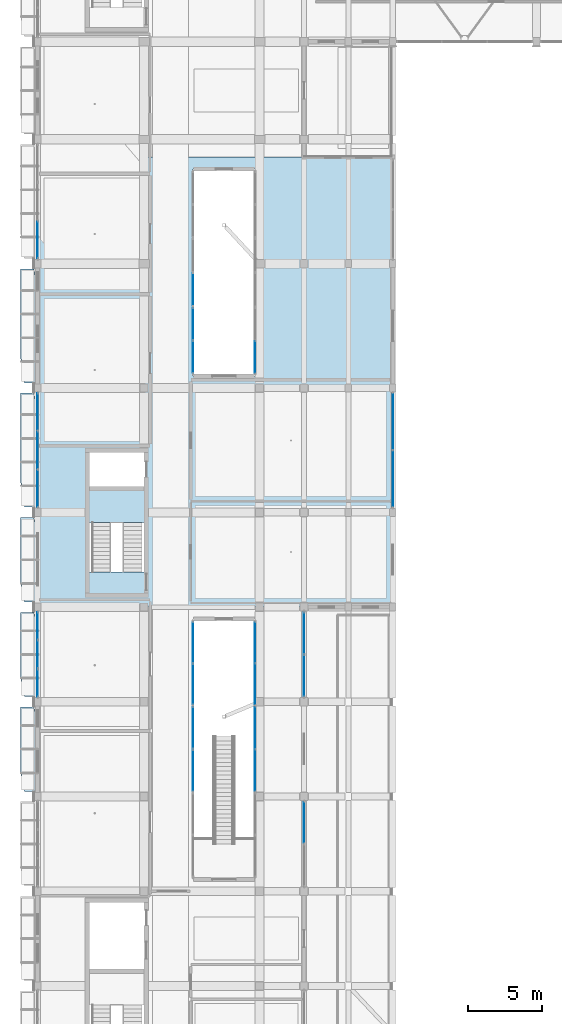
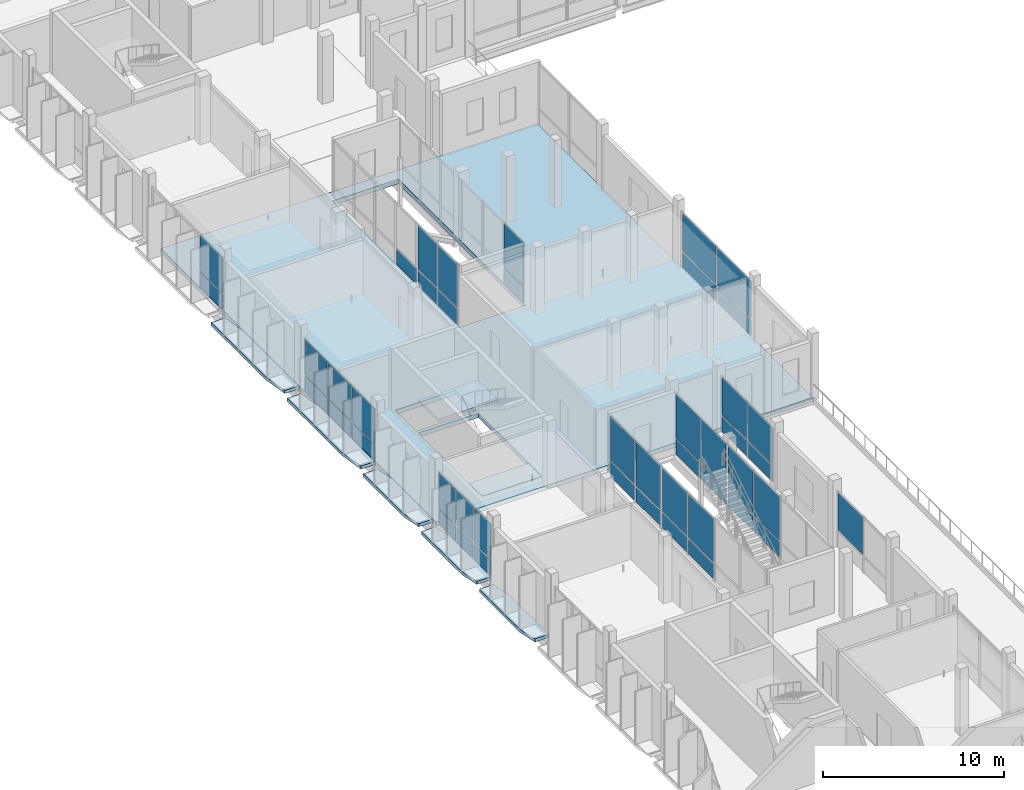
# One storey, part 44 of 95: 46 plates, 8 slabs, 14 elements without a shape of their own.
"""IFC4 building model written with IfcOpenShell, lengths in metres."""

from ifc_helpers import new_model, si_unit, derived_unit, direction, frame, origin, origin_2d, place, context, subcontext, project, spatial, polyline, rectangle, outline, extrude, material, layer, layer_set, type_object, element, aggregate, save


model = new_model("IFC4")

# Units and contexts
model_context = context("Model", 3, precision=1e-05, world=origin(), true_north=direction((0.0, 1.0)))
body_context = subcontext(model_context, "Body", "Model", "MODEL_VIEW")
ifc_project = project(units=[si_unit("LENGTHUNIT", "METRE"), si_unit("AREAUNIT", "SQUARE_METRE"), si_unit("VOLUMEUNIT", "CUBIC_METRE"), si_unit("PLANEANGLEUNIT", "RADIAN"), si_unit("MASSUNIT", "GRAM", prefix="KILO"), derived_unit("THERMALTRANSMITTANCEUNIT", [(si_unit("POWERUNIT", "WATT"), 1), (si_unit("LENGTHUNIT", "METRE"), -2), (si_unit("THERMODYNAMICTEMPERATUREUNIT", "KELVIN"), -1)])], contexts=[model_context])

# Site, building, storey
site_placement = place(None, origin())
site = spatial("IfcSite", under=ifc_project, at=site_placement, CompositionType="ELEMENT")
building_placement = place(site_placement, origin())
building = spatial("IfcBuilding", under=site, at=building_placement, Name="Braskholm Square Health Centre", CompositionType="ELEMENT")
storey_placement = place(building_placement, frame((0.0, 0.0, 4.800048828125)))
storey = spatial("IfcBuildingStorey", under=building, at=storey_placement, Name="L02", CompositionType="ELEMENT", Elevation=4.800048828125)

# Curtain wall, plates
ifc_material_1 = material(Name="Low-E triple insulating glass (VLT 0.64)", Category="glass")
curtain_wall_type_1 = type_object("IfcCurtainWallType", Name="UnitisedCurtainWall6200x3650", PredefinedType="NOTDEFINED", material=ifc_material_1)
curtain_wall_1_placement = place(storey_placement, origin())
curtain_wall_1 = element("IfcCurtainWall", 1, at=curtain_wall_1_placement, inside=storey, type_object=curtain_wall_type_1, Name="West Outer unitised curtain wall CW-L02-0009", PredefinedType="NOTDEFINED")
ifc_material_2 = material(Name="Architectural bronze anodised aluminium", Category="aluminium")
plate_type_1 = type_object("IfcPlateType", Name="CurtainPanelSpandrel1850x1020", PredefinedType="CURTAIN_PANEL", material=ifc_material_2)
plate_1_placement = place(storey_placement, frame((4.199951171875, 47.739990234375, 0.050048828125), z_axis=(0.0, 0.0, 1.0), x_axis=(0.0, -1.0, 0.0)))
plate_1 = element("IfcPlate", 2, at=plate_1_placement, type_object=plate_type_1, Name="CW-L02-0009 spandrel panel 1", PredefinedType="CURTAIN_PANEL", context=body_context, shape_type="SweptSolid", body=[
    extrude(rectangle(XDim=1.823486328125, YDim=0.035888671875, at=origin_2d()), origin(), (0.0, 0.0, 1.0), 1.02001953125),
])
plate_2_placement = place(storey_placement, frame((4.199951171875, 45.800048828125, 0.050048828125), z_axis=(0.0, 0.0, 1.0), x_axis=(0.0, -1.0, 0.0)))
plate_2 = element("IfcPlate", 3, at=plate_2_placement, type_object=plate_type_1, Name="CW-L02-0009 spandrel panel 2", PredefinedType="CURTAIN_PANEL", context=body_context, shape_type="SweptSolid", body=[
    extrude(rectangle(XDim=1.823486328125, YDim=0.035888671875, at=origin_2d()), origin(), (0.0, 0.0, 1.0), 1.02001953125),
])
plate_3_placement = place(storey_placement, frame((4.199951171875, 43.860107421875, 0.050048828125), z_axis=(0.0, 0.0, 1.0), x_axis=(0.0, -1.0, 0.0)))
plate_3 = element("IfcPlate", 4, at=plate_3_placement, type_object=plate_type_1, Name="CW-L02-0009 spandrel panel 3", PredefinedType="CURTAIN_PANEL", context=body_context, shape_type="SweptSolid", body=[
    extrude(rectangle(XDim=1.823486328125, YDim=0.035888671875, at=origin_2d()), origin(), (0.0, 0.0, 1.0), 1.02001953125),
])

curtain_wall_type_2 = type_object("IfcCurtainWallType", Name="UnitisedCurtainWall4800x4100", PredefinedType="NOTDEFINED", material=ifc_material_1)
curtain_wall_2_placement = place(storey_placement, origin())
curtain_wall_2 = element("IfcCurtainWall", 5, at=curtain_wall_2_placement, inside=storey, type_object=curtain_wall_type_2, Name="WC2 Court W unitised curtain wall CW-L02-0291", PredefinedType="NOTDEFINED")
plate_type_2 = type_object("IfcPlateType", Name="CurtainPanelSpandrel2150x1020", PredefinedType="CURTAIN_PANEL", material=ifc_material_2)
plate_4_placement = place(storey_placement, frame((14.699951171875, 65.884033203125, 0.050048828125), z_axis=(0.0, 0.0, 1.0), x_axis=(0.0, 1.0, 0.0)))
plate_4 = element("IfcPlate", 6, at=plate_4_placement, type_object=plate_type_2, Name="CW-L02-0291 spandrel panel 1", PredefinedType="CURTAIN_PANEL", context=body_context, shape_type="SweptSolid", body=[
    extrude(rectangle(XDim=2.125244140625, YDim=0.035888671875, at=origin_2d()), origin(), (0.0, 0.0, 1.0), 1.02001953125),
])
plate_5_placement = place(storey_placement, frame((14.699951171875, 68.117919921875, 0.050048828125), z_axis=(0.0, 0.0, 1.0), x_axis=(0.0, 1.0, 0.0)))
plate_5 = element("IfcPlate", 7, at=plate_5_placement, type_object=plate_type_2, Name="CW-L02-0291 spandrel panel 2", PredefinedType="CURTAIN_PANEL", context=body_context, shape_type="SweptSolid", body=[
    extrude(rectangle(XDim=2.125244140625, YDim=0.035888671875, at=origin_2d()), origin(), (0.0, 0.0, 1.0), 1.02001953125),
])

# Curtain wall, plate
curtain_wall_3_placement = place(storey_placement, origin())
curtain_wall_3 = element("IfcCurtainWall", 8, at=curtain_wall_3_placement, inside=storey, type_object=curtain_wall_type_2, Name="WC2 Court E unitised curtain wall CW-L02-0292", PredefinedType="NOTDEFINED")
plate_6_placement = place(storey_placement, frame((18.89990234375, 65.884033203125, 0.050048828125), z_axis=(0.0, 0.0, 1.0), x_axis=(0.0, -1.0, 0.0)))
plate_6 = element("IfcPlate", 9, at=plate_6_placement, type_object=plate_type_2, Name="CW-L02-0292 spandrel panel 2", PredefinedType="CURTAIN_PANEL", context=body_context, shape_type="SweptSolid", body=[
    extrude(rectangle(XDim=2.125244140625, YDim=0.035888671875, at=origin_2d()), origin(), (0.0, 0.0, 1.0), 1.02001953125),
])

curtain_wall_4_placement = place(storey_placement, origin())
curtain_wall_4 = element("IfcCurtainWall", 10, at=curtain_wall_4_placement, inside=storey, type_object=curtain_wall_type_2, Name="WC2 Court W unitised curtain wall CW-L02-0293", PredefinedType="NOTDEFINED")
plate_7_placement = place(storey_placement, frame((14.699951171875, 70.449951171875, 0.050048828125), z_axis=(0.0, 0.0, 1.0), x_axis=(0.0, 1.0, 0.0)))
plate_7 = element("IfcPlate", 11, at=plate_7_placement, type_object=plate_type_2, Name="CW-L02-0293 spandrel panel 1", PredefinedType="CURTAIN_PANEL", context=body_context, shape_type="SweptSolid", body=[
    extrude(rectangle(XDim=2.188232421875, YDim=0.035888671875, at=origin_2d()), origin(), (0.0, 0.0, 1.0), 1.02001953125),
])
aggregate(curtain_wall_4, [plate_7])

# Curtain wall, plates
curtain_wall_5_placement = place(storey_placement, origin())
curtain_wall_5 = element("IfcCurtainWall", 12, at=curtain_wall_5_placement, inside=storey, type_object=curtain_wall_type_1, Name="West Outer unitised curtain wall CW-L02-0010", PredefinedType="NOTDEFINED")
plate_type_3 = type_object("IfcPlateType", Name="CurtainPanelSpandrel2750x1020", PredefinedType="CURTAIN_PANEL", material=ifc_material_2)
plate_8_placement = place(storey_placement, frame((4.199951171875, 62.206787109375, 0.050048828125), z_axis=(0.0, 0.0, 1.0), x_axis=(0.0, -1.0, 0.0)))
plate_8 = element("IfcPlate", 13, at=plate_8_placement, type_object=plate_type_3, Name="CW-L02-0010 spandrel panel 1", PredefinedType="CURTAIN_PANEL", context=body_context, shape_type="SweptSolid", body=[
    extrude(rectangle(XDim=2.4501953125, YDim=0.035888671875, at=origin_2d()), origin(), (0.0, 0.0, 1.0), 1.02001953125),
])
plate_9_placement = place(storey_placement, frame((4.199951171875, 59.60009765625, 0.050048828125), z_axis=(0.0, 0.0, 1.0), x_axis=(0.0, -1.0, 0.0)))
plate_9 = element("IfcPlate", 14, at=plate_9_placement, type_object=plate_type_3, Name="CW-L02-0010 spandrel panel 2", PredefinedType="CURTAIN_PANEL", context=body_context, shape_type="SweptSolid", body=[
    extrude(rectangle(XDim=2.4501953125, YDim=0.035888671875, at=origin_2d()), origin(), (0.0, 0.0, 1.0), 1.02001953125),
])
plate_10_placement = place(storey_placement, frame((4.199951171875, 56.993408203125, 0.050048828125), z_axis=(0.0, 0.0, 1.0), x_axis=(0.0, -1.0, 0.0)))
plate_10 = element("IfcPlate", 15, at=plate_10_placement, type_object=plate_type_3, Name="CW-L02-0010 spandrel panel 3", PredefinedType="CURTAIN_PANEL", context=body_context, shape_type="SweptSolid", body=[
    extrude(rectangle(XDim=2.4501953125, YDim=0.035888671875, at=origin_2d()), origin(), (0.0, 0.0, 1.0), 1.02001953125),
])

# Curtain wall, plate
curtain_wall_6_placement = place(storey_placement, origin())
curtain_wall_6 = element("IfcCurtainWall", 16, at=curtain_wall_6_placement, inside=storey, type_object=curtain_wall_type_1, Name="West Outer unitised curtain wall CW-L02-0011", PredefinedType="NOTDEFINED")
plate_11_placement = place(storey_placement, frame((4.199951171875, 73.793212890625, 0.050048828125), z_axis=(0.0, 0.0, 1.0), x_axis=(0.0, -1.0, 0.0)))
plate_11 = element("IfcPlate", 17, at=plate_11_placement, type_object=plate_type_3, Name="CW-L02-0011 spandrel panel 3", PredefinedType="CURTAIN_PANEL", context=body_context, shape_type="SweptSolid", body=[
    extrude(rectangle(XDim=2.4501953125, YDim=0.035888671875, at=origin_2d()), origin(), (0.0, 0.0, 1.0), 1.02001953125),
])

# Curtain wall, plates
curtain_wall_type_3 = type_object("IfcCurtainWallType", Name="UnitisedCurtainWall6200x3800", PredefinedType="NOTDEFINED", material=ifc_material_1)
curtain_wall_7_placement = place(storey_placement, origin())
curtain_wall_7 = element("IfcCurtainWall", 18, at=curtain_wall_7_placement, inside=storey, type_object=curtain_wall_type_3, Name="West Valley unitised curtain wall CW-L02-0087", PredefinedType="NOTDEFINED")
plate_12_placement = place(storey_placement, frame((22.199951171875, 44.360107421875, 0.050048828125), z_axis=(0.0, 0.0, 1.0), x_axis=(0.0, 1.0, 0.0)))
plate_12 = element("IfcPlate", 19, at=plate_12_placement, type_object=plate_type_3, Name="CW-L02-0087 spandrel panel 1", PredefinedType="CURTAIN_PANEL", context=body_context, shape_type="SweptSolid", body=[
    extrude(rectangle(XDim=2.739990234375, YDim=0.035888671875, at=origin_2d()), origin(), (0.0, 0.0, 1.0), 1.02001953125),
])
plate_13_placement = place(storey_placement, frame((22.199951171875, 47.239990234375, 0.050048828125), z_axis=(0.0, 0.0, 1.0), x_axis=(0.0, 1.0, 0.0)))
plate_13 = element("IfcPlate", 20, at=plate_13_placement, type_object=plate_type_3, Name="CW-L02-0087 spandrel panel 2", PredefinedType="CURTAIN_PANEL", context=body_context, shape_type="SweptSolid", body=[
    extrude(rectangle(XDim=2.739990234375, YDim=0.035888671875, at=origin_2d()), origin(), (0.0, 0.0, 1.0), 1.02001953125),
])

curtain_wall_type_4 = type_object("IfcCurtainWallType", Name="UnitisedCurtainWall6200x4100", PredefinedType="NOTDEFINED", material=ifc_material_1)
curtain_wall_8_placement = place(storey_placement, origin())
curtain_wall_8 = element("IfcCurtainWall", 21, at=curtain_wall_8_placement, inside=storey, type_object=curtain_wall_type_4, Name="WC1 Court W unitised curtain wall CW-L02-0257", PredefinedType="NOTDEFINED")
plate_14_placement = place(storey_placement, frame((14.699951171875, 37.95361328125, 0.050048828125), z_axis=(0.0, 0.0, 1.0), x_axis=(0.0, 1.0, 0.0)))
plate_14 = element("IfcPlate", 22, at=plate_14_placement, type_object=plate_type_3, Name="CW-L02-0257 spandrel panel 1", PredefinedType="CURTAIN_PANEL", context=body_context, shape_type="SweptSolid", body=[
    extrude(rectangle(XDim=2.752197265625, YDim=0.035888671875, at=origin_2d()), origin(), (0.0, 0.0, 1.0), 1.02001953125),
])
plate_15_placement = place(storey_placement, frame((14.699951171875, 40.846435546875, 0.050048828125), z_axis=(0.0, 0.0, 1.0), x_axis=(0.0, 1.0, 0.0)))
plate_15 = element("IfcPlate", 23, at=plate_15_placement, type_object=plate_type_3, Name="CW-L02-0257 spandrel panel 2", PredefinedType="CURTAIN_PANEL", context=body_context, shape_type="SweptSolid", body=[
    extrude(rectangle(XDim=2.752197265625, YDim=0.035888671875, at=origin_2d()), origin(), (0.0, 0.0, 1.0), 1.02001953125),
])

curtain_wall_9_placement = place(storey_placement, origin())
curtain_wall_9 = element("IfcCurtainWall", 24, at=curtain_wall_9_placement, inside=storey, type_object=curtain_wall_type_4, Name="WC1 Court E unitised curtain wall CW-L02-0258", PredefinedType="NOTDEFINED")
plate_16_placement = place(storey_placement, frame((18.89990234375, 40.846435546875, 0.050048828125), z_axis=(0.0, 0.0, 1.0), x_axis=(0.0, -1.0, 0.0)))
plate_16 = element("IfcPlate", 25, at=plate_16_placement, type_object=plate_type_3, Name="CW-L02-0258 spandrel panel 1", PredefinedType="CURTAIN_PANEL", context=body_context, shape_type="SweptSolid", body=[
    extrude(rectangle(XDim=2.752197265625, YDim=0.035888671875, at=origin_2d()), origin(), (0.0, 0.0, 1.0), 1.02001953125),
])
plate_17_placement = place(storey_placement, frame((18.89990234375, 37.95361328125, 0.050048828125), z_axis=(0.0, 0.0, 1.0), x_axis=(0.0, -1.0, 0.0)))
plate_17 = element("IfcPlate", 26, at=plate_17_placement, type_object=plate_type_3, Name="CW-L02-0258 spandrel panel 2", PredefinedType="CURTAIN_PANEL", context=body_context, shape_type="SweptSolid", body=[
    extrude(rectangle(XDim=2.752197265625, YDim=0.035888671875, at=origin_2d()), origin(), (0.0, 0.0, 1.0), 1.02001953125),
])

curtain_wall_type_5 = type_object("IfcCurtainWallType", Name="UnitisedCurtainWall5400x4100", PredefinedType="NOTDEFINED", material=ifc_material_1)
curtain_wall_10_placement = place(storey_placement, origin())
curtain_wall_10 = element("IfcCurtainWall", 27, at=curtain_wall_10_placement, inside=storey, type_object=curtain_wall_type_5, Name="WC1 Court W unitised curtain wall CW-L02-0259", PredefinedType="NOTDEFINED")
plate_18_placement = place(storey_placement, frame((14.699951171875, 43.78564453125, 0.050048828125), z_axis=(0.0, 0.0, 1.0), x_axis=(0.0, 1.0, 0.0)))
plate_18 = element("IfcPlate", 28, at=plate_18_placement, type_object=plate_type_3, Name="CW-L02-0259 spandrel panel 1", PredefinedType="CURTAIN_PANEL", context=body_context, shape_type="SweptSolid", body=[
    extrude(rectangle(XDim=2.689208984375, YDim=0.035888671875, at=origin_2d()), origin(), (0.0, 0.0, 1.0), 1.02001953125),
])
plate_19_placement = place(storey_placement, frame((14.699951171875, 46.6123046875, 0.050048828125), z_axis=(0.0, 0.0, 1.0), x_axis=(0.0, 1.0, 0.0)))
plate_19 = element("IfcPlate", 29, at=plate_19_placement, type_object=plate_type_3, Name="CW-L02-0259 spandrel panel 2", PredefinedType="CURTAIN_PANEL", context=body_context, shape_type="SweptSolid", body=[
    extrude(rectangle(XDim=2.689208984375, YDim=0.035888671875, at=origin_2d()), origin(), (0.0, 0.0, 1.0), 1.02001953125),
])

curtain_wall_11_placement = place(storey_placement, origin())
curtain_wall_11 = element("IfcCurtainWall", 30, at=curtain_wall_11_placement, inside=storey, type_object=curtain_wall_type_5, Name="WC1 Court E unitised curtain wall CW-L02-0260", PredefinedType="NOTDEFINED")
plate_20_placement = place(storey_placement, frame((18.89990234375, 46.6123046875, 0.050048828125), z_axis=(0.0, 0.0, 1.0), x_axis=(0.0, -1.0, 0.0)))
plate_20 = element("IfcPlate", 31, at=plate_20_placement, type_object=plate_type_3, Name="CW-L02-0260 spandrel panel 1", PredefinedType="CURTAIN_PANEL", context=body_context, shape_type="SweptSolid", body=[
    extrude(rectangle(XDim=2.689208984375, YDim=0.035888671875, at=origin_2d()), origin(), (0.0, 0.0, 1.0), 1.02001953125),
])
plate_21_placement = place(storey_placement, frame((18.89990234375, 43.78564453125, 0.050048828125), z_axis=(0.0, 0.0, 1.0), x_axis=(0.0, -1.0, 0.0)))
plate_21 = element("IfcPlate", 32, at=plate_21_placement, type_object=plate_type_3, Name="CW-L02-0260 spandrel panel 2", PredefinedType="CURTAIN_PANEL", context=body_context, shape_type="SweptSolid", body=[
    extrude(rectangle(XDim=2.689208984375, YDim=0.035888671875, at=origin_2d()), origin(), (0.0, 0.0, 1.0), 1.02001953125),
])

curtain_wall_12_placement = place(storey_placement, origin())
curtain_wall_12 = element("IfcCurtainWall", 33, at=curtain_wall_12_placement, inside=storey, type_object=curtain_wall_type_3, Name="West Valley unitised curtain wall CW-L02-0088", PredefinedType="NOTDEFINED")
plate_type_4 = type_object("IfcPlateType", Name="CurtainPanelSpandrel3150x1020", PredefinedType="CURTAIN_PANEL", material=ifc_material_2)
plate_22_placement = place(storey_placement, frame((28.199951171875, 57.66357421875, 0.050048828125), z_axis=(0.0, 0.0, 1.0), x_axis=(0.0, 1.0, 0.0)))
plate_22 = element("IfcPlate", 34, at=plate_22_placement, type_object=plate_type_4, Name="CW-L02-0088 spandrel panel 1", PredefinedType="CURTAIN_PANEL", context=body_context, shape_type="SweptSolid", body=[
    extrude(rectangle(XDim=3.684814453125, YDim=0.035888671875, at=origin_2d()), origin(), (0.0, 0.0, 1.0), 1.02001953125),
])
plate_23_placement = place(storey_placement, frame((28.199951171875, 61.53662109375, 0.050048828125), z_axis=(0.0, 0.0, 1.0), x_axis=(0.0, 1.0, 0.0)))
plate_23 = element("IfcPlate", 35, at=plate_23_placement, type_object=plate_type_4, Name="CW-L02-0088 spandrel panel 2", PredefinedType="CURTAIN_PANEL", context=body_context, shape_type="SweptSolid", body=[
    extrude(rectangle(XDim=3.684814453125, YDim=0.035888671875, at=origin_2d()), origin(), (0.0, 0.0, 1.0), 1.02001953125),
])

# Plate
plate_type_5 = type_object("IfcPlateType", Name="CurtainPanelVision1850x2520", PredefinedType="CURTAIN_PANEL", material=ifc_material_1)
plate_24_placement = place(storey_placement, frame((4.199951171875, 47.739990234375, 1.169921875), z_axis=(0.0, 0.0, 1.0), x_axis=(0.0, -1.0, 0.0)))
plate_24 = element("IfcPlate", 36, at=plate_24_placement, type_object=plate_type_5, Name="CW-L02-0009 vision glass panel 1", PredefinedType="CURTAIN_PANEL", context=body_context, shape_type="SweptSolid", body=[
    extrude(rectangle(XDim=1.823486328125, YDim=0.035888671875, at=origin_2d()), origin(), (0.0, 0.0, 1.0), 2.3701171875),
])

plate_25_placement = place(storey_placement, frame((4.199951171875, 45.800048828125, 1.169921875), z_axis=(0.0, 0.0, 1.0), x_axis=(0.0, -1.0, 0.0)))
plate_25 = element("IfcPlate", 37, at=plate_25_placement, type_object=plate_type_5, Name="CW-L02-0009 vision glass panel 2", PredefinedType="CURTAIN_PANEL", context=body_context, shape_type="SweptSolid", body=[
    extrude(rectangle(XDim=1.823486328125, YDim=0.035888671875, at=origin_2d()), origin(), (0.0, 0.0, 1.0), 2.3701171875),
])

plate_26_placement = place(storey_placement, frame((4.199951171875, 43.860107421875, 1.169921875), z_axis=(0.0, 0.0, 1.0), x_axis=(0.0, -1.0, 0.0)))
plate_26 = element("IfcPlate", 38, at=plate_26_placement, type_object=plate_type_5, Name="CW-L02-0009 vision glass panel 3", PredefinedType="CURTAIN_PANEL", context=body_context, shape_type="SweptSolid", body=[
    extrude(rectangle(XDim=1.823486328125, YDim=0.035888671875, at=origin_2d()), origin(), (0.0, 0.0, 1.0), 2.3701171875),
])

aggregate(curtain_wall_1, [plate_1, plate_24, plate_2, plate_25, plate_3, plate_26])

plate_type_6 = type_object("IfcPlateType", Name="CurtainPanelVision2150x2950", PredefinedType="CURTAIN_PANEL", material=ifc_material_1)
plate_27_placement = place(storey_placement, frame((14.699951171875, 65.884033203125, 1.169921875), z_axis=(0.0, 0.0, 1.0), x_axis=(0.0, 1.0, 0.0)))
plate_27 = element("IfcPlate", 39, at=plate_27_placement, type_object=plate_type_6, Name="CW-L02-0291 vision glass panel 1", PredefinedType="CURTAIN_PANEL", context=body_context, shape_type="SweptSolid", body=[
    extrude(rectangle(XDim=2.125244140625, YDim=0.035888671875, at=origin_2d()), origin(), (0.0, 0.0, 1.0), 2.919921875),
])

plate_28_placement = place(storey_placement, frame((14.699951171875, 68.117919921875, 1.169921875), z_axis=(0.0, 0.0, 1.0), x_axis=(0.0, 1.0, 0.0)))
plate_28 = element("IfcPlate", 40, at=plate_28_placement, type_object=plate_type_6, Name="CW-L02-0291 vision glass panel 2", PredefinedType="CURTAIN_PANEL", context=body_context, shape_type="SweptSolid", body=[
    extrude(rectangle(XDim=2.125244140625, YDim=0.035888671875, at=origin_2d()), origin(), (0.0, 0.0, 1.0), 2.919921875),
])

aggregate(curtain_wall_2, [plate_4, plate_27, plate_5, plate_28])

plate_29_placement = place(storey_placement, frame((18.89990234375, 65.884033203125, 1.169921875), z_axis=(0.0, 0.0, 1.0), x_axis=(0.0, -1.0, 0.0)))
plate_29 = element("IfcPlate", 41, at=plate_29_placement, type_object=plate_type_6, Name="CW-L02-0292 vision glass panel 2", PredefinedType="CURTAIN_PANEL", context=body_context, shape_type="SweptSolid", body=[
    extrude(rectangle(XDim=2.125244140625, YDim=0.035888671875, at=origin_2d()), origin(), (0.0, 0.0, 1.0), 2.919921875),
])

aggregate(curtain_wall_3, [plate_6, plate_29])

plate_type_7 = type_object("IfcPlateType", Name="CurtainPanelVision2750x2520", PredefinedType="CURTAIN_PANEL", material=ifc_material_1)
plate_30_placement = place(storey_placement, frame((4.199951171875, 62.206787109375, 1.169921875), z_axis=(0.0, 0.0, 1.0), x_axis=(0.0, -1.0, 0.0)))
plate_30 = element("IfcPlate", 42, at=plate_30_placement, type_object=plate_type_7, Name="CW-L02-0010 vision glass panel 1", PredefinedType="CURTAIN_PANEL", context=body_context, shape_type="SweptSolid", body=[
    extrude(rectangle(XDim=2.4501953125, YDim=0.035888671875, at=origin_2d()), origin(), (0.0, 0.0, 1.0), 2.3701171875),
])

plate_31_placement = place(storey_placement, frame((4.199951171875, 59.60009765625, 1.169921875), z_axis=(0.0, 0.0, 1.0), x_axis=(0.0, -1.0, 0.0)))
plate_31 = element("IfcPlate", 43, at=plate_31_placement, type_object=plate_type_7, Name="CW-L02-0010 vision glass panel 2", PredefinedType="CURTAIN_PANEL", context=body_context, shape_type="SweptSolid", body=[
    extrude(rectangle(XDim=2.4501953125, YDim=0.035888671875, at=origin_2d()), origin(), (0.0, 0.0, 1.0), 2.3701171875),
])

plate_32_placement = place(storey_placement, frame((4.199951171875, 56.993408203125, 1.169921875), z_axis=(0.0, 0.0, 1.0), x_axis=(0.0, -1.0, 0.0)))
plate_32 = element("IfcPlate", 44, at=plate_32_placement, type_object=plate_type_7, Name="CW-L02-0010 vision glass panel 3", PredefinedType="CURTAIN_PANEL", context=body_context, shape_type="SweptSolid", body=[
    extrude(rectangle(XDim=2.4501953125, YDim=0.035888671875, at=origin_2d()), origin(), (0.0, 0.0, 1.0), 2.3701171875),
])

aggregate(curtain_wall_5, [plate_8, plate_30, plate_9, plate_31, plate_10, plate_32])

plate_33_placement = place(storey_placement, frame((4.199951171875, 73.793212890625, 1.169921875), z_axis=(0.0, 0.0, 1.0), x_axis=(0.0, -1.0, 0.0)))
plate_33 = element("IfcPlate", 45, at=plate_33_placement, type_object=plate_type_7, Name="CW-L02-0011 vision glass panel 3", PredefinedType="CURTAIN_PANEL", context=body_context, shape_type="SweptSolid", body=[
    extrude(rectangle(XDim=2.4501953125, YDim=0.035888671875, at=origin_2d()), origin(), (0.0, 0.0, 1.0), 2.3701171875),
])

aggregate(curtain_wall_6, [plate_11, plate_33])

# Curtain wall, plate
curtain_wall_13_placement = place(storey_placement, origin())
curtain_wall_13 = element("IfcCurtainWall", 46, at=curtain_wall_13_placement, inside=storey, type_object=curtain_wall_type_3, Name="West Valley unitised curtain wall CW-L02-0086", PredefinedType="NOTDEFINED")
plate_34_placement = place(storey_placement, frame((22.199951171875, 34.43994140625, 1.169921875), z_axis=(0.0, 0.0, 1.0), x_axis=(0.0, 1.0, 0.0)))
plate_34 = element("IfcPlate", 47, at=plate_34_placement, type_object=plate_type_7, Name="CW-L02-0086 vision glass panel 2", PredefinedType="CURTAIN_PANEL", context=body_context, shape_type="SweptSolid", body=[
    extrude(rectangle(XDim=2.739990234375, YDim=0.035888671875, at=origin_2d()), origin(), (0.0, 0.0, 1.0), 2.510009765625),
])
aggregate(curtain_wall_13, [plate_34])

# Plate
plate_35_placement = place(storey_placement, frame((22.199951171875, 44.360107421875, 1.169921875), z_axis=(0.0, 0.0, 1.0), x_axis=(0.0, 1.0, 0.0)))
plate_35 = element("IfcPlate", 48, at=plate_35_placement, type_object=plate_type_7, Name="CW-L02-0087 vision glass panel 1", PredefinedType="CURTAIN_PANEL", context=body_context, shape_type="SweptSolid", body=[
    extrude(rectangle(XDim=2.739990234375, YDim=0.035888671875, at=origin_2d()), origin(), (0.0, 0.0, 1.0), 2.510009765625),
])

plate_36_placement = place(storey_placement, frame((22.199951171875, 47.239990234375, 1.169921875), z_axis=(0.0, 0.0, 1.0), x_axis=(0.0, 1.0, 0.0)))
plate_36 = element("IfcPlate", 49, at=plate_36_placement, type_object=plate_type_7, Name="CW-L02-0087 vision glass panel 2", PredefinedType="CURTAIN_PANEL", context=body_context, shape_type="SweptSolid", body=[
    extrude(rectangle(XDim=2.739990234375, YDim=0.035888671875, at=origin_2d()), origin(), (0.0, 0.0, 1.0), 2.510009765625),
])

aggregate(curtain_wall_7, [plate_12, plate_35, plate_13, plate_36])

plate_type_8 = type_object("IfcPlateType", Name="CurtainPanelVision2750x2950", PredefinedType="CURTAIN_PANEL", material=ifc_material_1)
plate_37_placement = place(storey_placement, frame((14.699951171875, 37.95361328125, 1.169921875), z_axis=(0.0, 0.0, 1.0), x_axis=(0.0, 1.0, 0.0)))
plate_37 = element("IfcPlate", 50, at=plate_37_placement, type_object=plate_type_8, Name="CW-L02-0257 vision glass panel 1", PredefinedType="CURTAIN_PANEL", context=body_context, shape_type="SweptSolid", body=[
    extrude(rectangle(XDim=2.752197265625, YDim=0.035888671875, at=origin_2d()), origin(), (0.0, 0.0, 1.0), 2.919921875),
])

plate_38_placement = place(storey_placement, frame((14.699951171875, 40.846435546875, 1.169921875), z_axis=(0.0, 0.0, 1.0), x_axis=(0.0, 1.0, 0.0)))
plate_38 = element("IfcPlate", 51, at=plate_38_placement, type_object=plate_type_8, Name="CW-L02-0257 vision glass panel 2", PredefinedType="CURTAIN_PANEL", context=body_context, shape_type="SweptSolid", body=[
    extrude(rectangle(XDim=2.752197265625, YDim=0.035888671875, at=origin_2d()), origin(), (0.0, 0.0, 1.0), 2.919921875),
])

aggregate(curtain_wall_8, [plate_14, plate_37, plate_15, plate_38])

plate_39_placement = place(storey_placement, frame((18.89990234375, 40.846435546875, 1.169921875), z_axis=(0.0, 0.0, 1.0), x_axis=(0.0, -1.0, 0.0)))
plate_39 = element("IfcPlate", 52, at=plate_39_placement, type_object=plate_type_8, Name="CW-L02-0258 vision glass panel 1", PredefinedType="CURTAIN_PANEL", context=body_context, shape_type="SweptSolid", body=[
    extrude(rectangle(XDim=2.752197265625, YDim=0.035888671875, at=origin_2d()), origin(), (0.0, 0.0, 1.0), 2.919921875),
])

plate_40_placement = place(storey_placement, frame((18.89990234375, 37.95361328125, 1.169921875), z_axis=(0.0, 0.0, 1.0), x_axis=(0.0, -1.0, 0.0)))
plate_40 = element("IfcPlate", 53, at=plate_40_placement, type_object=plate_type_8, Name="CW-L02-0258 vision glass panel 2", PredefinedType="CURTAIN_PANEL", context=body_context, shape_type="SweptSolid", body=[
    extrude(rectangle(XDim=2.752197265625, YDim=0.035888671875, at=origin_2d()), origin(), (0.0, 0.0, 1.0), 2.919921875),
])

aggregate(curtain_wall_9, [plate_16, plate_39, plate_17, plate_40])

plate_41_placement = place(storey_placement, frame((14.699951171875, 43.78564453125, 1.169921875), z_axis=(0.0, 0.0, 1.0), x_axis=(0.0, 1.0, 0.0)))
plate_41 = element("IfcPlate", 54, at=plate_41_placement, type_object=plate_type_8, Name="CW-L02-0259 vision glass panel 1", PredefinedType="CURTAIN_PANEL", context=body_context, shape_type="SweptSolid", body=[
    extrude(rectangle(XDim=2.689208984375, YDim=0.035888671875, at=origin_2d()), origin(), (0.0, 0.0, 1.0), 2.919921875),
])

plate_42_placement = place(storey_placement, frame((14.699951171875, 46.6123046875, 1.169921875), z_axis=(0.0, 0.0, 1.0), x_axis=(0.0, 1.0, 0.0)))
plate_42 = element("IfcPlate", 55, at=plate_42_placement, type_object=plate_type_8, Name="CW-L02-0259 vision glass panel 2", PredefinedType="CURTAIN_PANEL", context=body_context, shape_type="SweptSolid", body=[
    extrude(rectangle(XDim=2.689208984375, YDim=0.035888671875, at=origin_2d()), origin(), (0.0, 0.0, 1.0), 2.919921875),
])

aggregate(curtain_wall_10, [plate_18, plate_41, plate_19, plate_42])

plate_43_placement = place(storey_placement, frame((18.89990234375, 46.6123046875, 1.169921875), z_axis=(0.0, 0.0, 1.0), x_axis=(0.0, -1.0, 0.0)))
plate_43 = element("IfcPlate", 56, at=plate_43_placement, type_object=plate_type_8, Name="CW-L02-0260 vision glass panel 1", PredefinedType="CURTAIN_PANEL", context=body_context, shape_type="SweptSolid", body=[
    extrude(rectangle(XDim=2.689208984375, YDim=0.035888671875, at=origin_2d()), origin(), (0.0, 0.0, 1.0), 2.919921875),
])

plate_44_placement = place(storey_placement, frame((18.89990234375, 43.78564453125, 1.169921875), z_axis=(0.0, 0.0, 1.0), x_axis=(0.0, -1.0, 0.0)))
plate_44 = element("IfcPlate", 57, at=plate_44_placement, type_object=plate_type_8, Name="CW-L02-0260 vision glass panel 2", PredefinedType="CURTAIN_PANEL", context=body_context, shape_type="SweptSolid", body=[
    extrude(rectangle(XDim=2.689208984375, YDim=0.035888671875, at=origin_2d()), origin(), (0.0, 0.0, 1.0), 2.919921875),
])

aggregate(curtain_wall_11, [plate_20, plate_43, plate_21, plate_44])

plate_type_9 = type_object("IfcPlateType", Name="CurtainPanelVision3150x2520", PredefinedType="CURTAIN_PANEL", material=ifc_material_1)
plate_45_placement = place(storey_placement, frame((28.199951171875, 57.66357421875, 1.169921875), z_axis=(0.0, 0.0, 1.0), x_axis=(0.0, 1.0, 0.0)))
plate_45 = element("IfcPlate", 58, at=plate_45_placement, type_object=plate_type_9, Name="CW-L02-0088 vision glass panel 1", PredefinedType="CURTAIN_PANEL", context=body_context, shape_type="SweptSolid", body=[
    extrude(rectangle(XDim=3.684814453125, YDim=0.035888671875, at=origin_2d()), origin(), (0.0, 0.0, 1.0), 2.510009765625),
])

plate_46_placement = place(storey_placement, frame((28.199951171875, 61.53662109375, 1.169921875), z_axis=(0.0, 0.0, 1.0), x_axis=(0.0, 1.0, 0.0)))
plate_46 = element("IfcPlate", 59, at=plate_46_placement, type_object=plate_type_9, Name="CW-L02-0088 vision glass panel 2", PredefinedType="CURTAIN_PANEL", context=body_context, shape_type="SweptSolid", body=[
    extrude(rectangle(XDim=3.684814453125, YDim=0.035888671875, at=origin_2d()), origin(), (0.0, 0.0, 1.0), 2.510009765625),
])

aggregate(curtain_wall_12, [plate_22, plate_45, plate_23, plate_46])

# Slabs
ifc_material_3 = material(Name="Precast concrete C40/50 architectural white", Category="concrete")
ifc_layer_1 = layer(ifc_material_3, 0.2099609375)
ifc_layer_set_1 = layer_set([ifc_layer_1], Name="Precast concrete C40/50 architectural white")
slab_type_1 = type_object("IfcSlabType", Name="PitchedAndCrownRoofSlab150", PredefinedType="ROOF", material=ifc_layer_set_1)
slab_1_placement = place(storey_placement, frame((0.0, 0.0, -0.2099609375)))
element("IfcSlab", 60, at=slab_1_placement, inside=storey, type_object=slab_type_1, Name="Level L02 West precast planter ledge 006", PredefinedType="ROOF", context=body_context, shape_type="SweptSolid", body=[
    extrude(outline(polyline([(3.302978515625, 36.550048828125), (4.199951171875, 36.550048828125), (4.199951171875, 40.99609375), (3.947021484375, 42.25), (3.050048828125, 42.25), (3.050048828125, 37.803955078125), (3.302978515625, 36.550048828125)])), origin(), (0.0, 0.0, 1.0), 0.2099609375),
])
slab_2_placement = place(storey_placement, frame((0.0, 0.0, -0.2099609375)))
element("IfcSlab", 61, at=slab_2_placement, inside=storey, type_object=slab_type_1, Name="Level L02 West precast planter ledge 007", PredefinedType="ROOF", context=body_context, shape_type="SweptSolid", body=[
    extrude(outline(polyline([(3.302978515625, 42.949951171875), (4.199951171875, 42.949951171875), (4.199951171875, 47.39599609375), (3.947021484375, 48.64990234375), (3.050048828125, 48.64990234375), (3.050048828125, 44.2041015625), (3.302978515625, 42.949951171875)])), origin(), (0.0, 0.0, 1.0), 0.2099609375),
])
slab_3_placement = place(storey_placement, frame((0.0, 0.0, -0.2099609375)))
element("IfcSlab", 62, at=slab_3_placement, inside=storey, type_object=slab_type_1, Name="Level L02 West precast planter ledge 008", PredefinedType="ROOF", context=body_context, shape_type="SweptSolid", body=[
    extrude(outline(polyline([(3.302978515625, 49.35009765625), (4.199951171875, 49.35009765625), (4.199951171875, 53.7958984375), (3.947021484375, 55.050048828125), (3.050048828125, 55.050048828125), (3.050048828125, 50.60400390625), (3.302978515625, 49.35009765625)])), origin(), (0.0, 0.0, 1.0), 0.2099609375),
])
slab_4_placement = place(storey_placement, frame((0.0, 0.0, -0.2099609375)))
element("IfcSlab", 63, at=slab_4_placement, inside=storey, type_object=slab_type_1, Name="Level L02 West precast planter ledge 009", PredefinedType="ROOF", context=body_context, shape_type="SweptSolid", body=[
    extrude(outline(polyline([(3.302978515625, 55.75), (4.199951171875, 55.75), (4.199951171875, 61.756103515625), (3.947021484375, 63.449951171875), (3.050048828125, 63.449951171875), (3.050048828125, 57.444091796875), (3.302978515625, 55.75)])), origin(), (0.0, 0.0, 1.0), 0.2099609375),
])
slab_5_placement = place(storey_placement, frame((0.0, 0.0, -0.2099609375)))
element("IfcSlab", 64, at=slab_5_placement, inside=storey, type_object=slab_type_1, Name="Level L02 West precast planter ledge 010", PredefinedType="ROOF", context=body_context, shape_type="SweptSolid", body=[
    extrude(outline(polyline([(3.302978515625, 64.14990234375), (4.199951171875, 64.14990234375), (4.199951171875, 70.156005859375), (3.947021484375, 71.85009765625), (3.050048828125, 71.85009765625), (3.050048828125, 65.843994140625), (3.302978515625, 64.14990234375)])), origin(), (0.0, 0.0, 1.0), 0.2099609375),
])

# Stair, slabs
ifc_material_4 = material(Name="Concrete C35/45 (f'c = 35 MPa)", Category="concrete")
stair_type = type_object("IfcStairType", Name="ExitReturnStairL02", PredefinedType="HALF_TURN_STAIR", material=ifc_material_4)
stair_placement = place(storey_placement, origin())
stair = element("IfcStair", 65, at=stair_placement, inside=storey, type_object=stair_type, Name="Enclosed exit stair ST-02 L02 to L03", PredefinedType="HALF_TURN_STAIR")
ifc_layer_2 = layer(ifc_material_4, 0.179931640625)
ifc_layer_set_2 = layer_set([ifc_layer_2], Name="Concrete C35/45 (f'c = 35 MPa)")
slab_type_2 = type_object("IfcSlabType", Name="StairLandingSlab180", PredefinedType="LANDING", material=ifc_layer_set_2)
slab_6_placement = place(storey_placement, frame((0.0, 0.0, 2.070068359375)))
slab_6 = element("IfcSlab", 66, at=slab_6_placement, type_object=slab_type_2, Name="Stair ST-02 half-landing L02", PredefinedType="LANDING", context=body_context, shape_type="SweptSolid", body=[
    extrude(outline(polyline([(7.64990234375, 54.719970703125), (11.449951171875, 54.719970703125), (11.449951171875, 56.89990234375), (7.64990234375, 56.89990234375), (7.64990234375, 54.719970703125)])), origin(), (0.0, 0.0, 1.0), 0.179931640625),
])
slab_7_placement = place(storey_placement, frame((0.0, 0.0, -0.179931640625)))
slab_7 = element("IfcSlab", 67, at=slab_7_placement, type_object=slab_type_2, Name="Stair ST-02 floor landing L02", PredefinedType="LANDING", context=body_context, shape_type="SweptSolid", body=[
    extrude(outline(polyline([(7.64990234375, 49.89990234375), (11.449951171875, 49.89990234375), (11.449951171875, 51.360107421875), (7.64990234375, 51.360107421875), (7.64990234375, 49.89990234375)])), origin(), (0.0, 0.0, 1.0), 0.179931640625),
])
aggregate(stair, [slab_6, slab_7])

# Slab
ifc_layer_3 = layer(ifc_material_4, 0.300048828125)
ifc_layer_set_3 = layer_set([ifc_layer_3], Name="Concrete C35/45 (f'c = 35 MPa)")
slab_type_3 = type_object("IfcSlabType", Name="TwoWayClinicalFlatSlab300", PredefinedType="FLOOR", material=ifc_layer_set_3)
slab_8_placement = place(storey_placement, frame((0.0, 0.0, -0.300048828125)))
element("IfcSlab", 68, at=slab_8_placement, inside=storey, type_object=slab_type_3, Name="Level L02 V4W West consulting wing slab", PredefinedType="FLOOR", context=body_context, shape_type="SweptSolid", body=[
    extrude(outline(polyline([(4.199951171875, 49.0), (28.199951171875, 49.0), (28.199951171875, 79.39990234375), (4.199951171875, 79.39990234375), (4.199951171875, 49.0)]), holes=[polyline([(7.6298828125, 49.8798828125), (11.469970703125, 49.8798828125), (11.469970703125, 56.919921875), (7.6298828125, 56.919921875), (7.6298828125, 49.8798828125)]), polyline([(7.6298828125, 57.14990234375), (11.469970703125, 57.14990234375), (11.469970703125, 59.449951171875), (7.6298828125, 59.449951171875), (7.6298828125, 57.14990234375)]), polyline([(14.699951171875, 64.60009765625), (18.89990234375, 64.60009765625), (18.89990234375, 78.60009765625), (14.699951171875, 78.60009765625), (14.699951171875, 64.60009765625)])]), origin(), (0.0, 0.0, 1.0), 0.300048828125),
])

save(model, "model.ifc")
